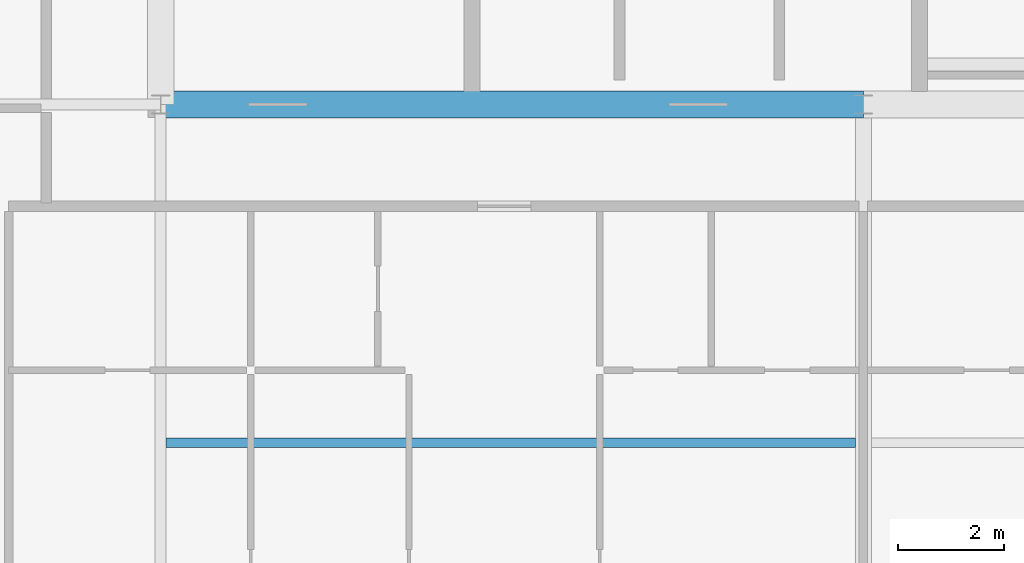
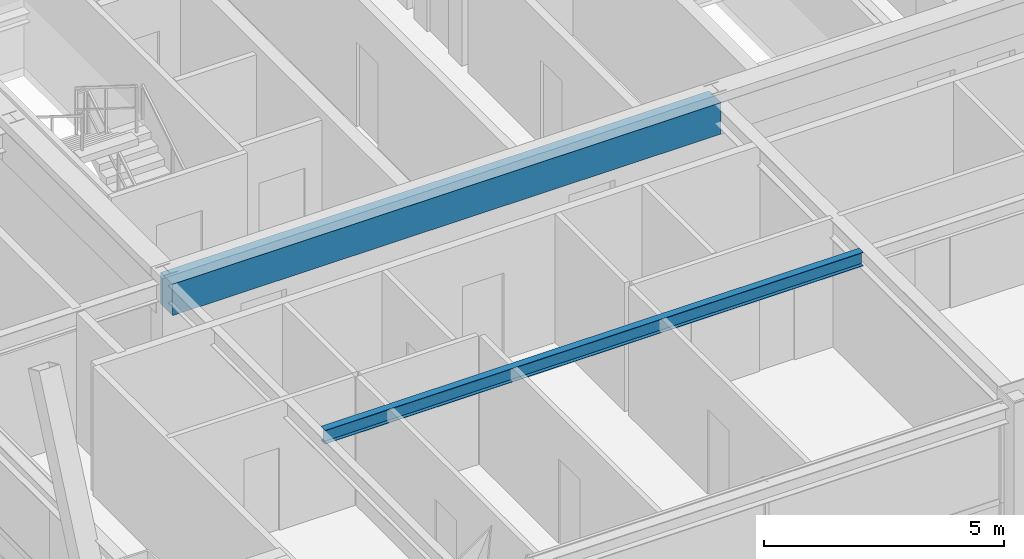
# One storey, part 8 of 34: 2 beams.
"""IFC4 building model written with IfcOpenShell, lengths in metres."""

import ifcopenshell
import ifcopenshell.guid

model = None  # the IFC model being written
_history = None  # IfcOwnerHistory: only IFC2X3 demands one
_inside = {}  # id of a spatial element -> (the spatial element, [elements in it])
_under = {}  # id of a project, library or spatial element -> (it, [spatial elements below it])
_declared = {}  # id of a project -> (the project, [libraries it declares])
_typed = {}  # id of a type object -> (the type object, [elements of that type])
_made_of = {}  # id of a material, layer set ... -> (it, [elements and type objects made of it])


def new_model(schema):
    """Start an empty IFC model of exactly this schema.

    Asked for "IFC4X3", IfcOpenShell would pick the latest addendum, in which some entities
    have other attributes; the version numbers below select the first issue.
    IFC2X3 requires an IfcOwnerHistory on every rooted entity: one is made here for all.
    """
    global model, _history
    if schema == "IFC4X3":
        model = ifcopenshell.file(schema_version=(4, 3, 0, 0))
    else:
        model = ifcopenshell.file(schema=schema)
    _inside.clear()
    _under.clear()
    _declared.clear()
    _typed.clear()
    _made_of.clear()
    _history = None
    if model.schema == "IFC2X3":
        org = make("IfcOrganization", Name="unknown")
        user = make(
            "IfcPersonAndOrganization",
            ThePerson=make("IfcPerson", FamilyName="unknown"),
            TheOrganization=org,
        )
        app = make(
            "IfcApplication",
            ApplicationDeveloper=org,
            Version="unknown",
            ApplicationFullName="unknown",
            ApplicationIdentifier="unknown",
        )
        _history = make(
            "IfcOwnerHistory",
            OwningUser=user,
            OwningApplication=app,
            ChangeAction="ADDED",
            CreationDate=0,
        )
    return model


def make(cls, **values):
    """One entity of the class cls with the attributes given. An attribute that is None is left unset."""
    return model.create_entity(
        cls, **{name: value for name, value in values.items() if value is not None}
    )


def rooted(cls, **values):
    """An entity with a GlobalId (a new one), such as an element, a storey or a relation."""
    return make(cls, GlobalId=ifcopenshell.guid.new(), OwnerHistory=_history, **values)


def si_unit(unit_type, name, prefix=None):
    """IfcSIUnit, for example si_unit("LENGTHUNIT", "METRE", prefix="MILLI")."""
    return make("IfcSIUnit", UnitType=unit_type, Prefix=prefix, Name=name)


def assignment(units):
    """IfcUnitAssignment: the units of a project."""
    return None if units is None else make("IfcUnitAssignment", Units=units)


def point(xyz):
    """IfcCartesianPoint."""
    return None if xyz is None else make("IfcCartesianPoint", Coordinates=xyz)


def direction(xyz):
    """IfcDirection."""
    return None if xyz is None else make("IfcDirection", DirectionRatios=xyz)


def frame(location, z_axis=None, x_axis=None):
    """IfcAxis2Placement3D, a coordinate frame: its origin and axes. An axis left out is left unset."""
    return make(
        "IfcAxis2Placement3D",
        Location=point(location),
        Axis=direction(z_axis),
        RefDirection=direction(x_axis),
    )


def frame_2d(location, x_axis=None):
    """IfcAxis2Placement2D, a coordinate frame in the plane: its origin and x axis."""
    return make(
        "IfcAxis2Placement2D", Location=point(location), RefDirection=direction(x_axis)
    )


def origin():
    """The frame at (0, 0, 0) with its axes left unset."""
    return frame((0.0, 0.0, 0.0))


def origin_2d():
    """The frame at (0, 0) in the plane with its x axis left unset."""
    return frame_2d((0.0, 0.0))


def place(relative_to, where):
    """IfcLocalPlacement: puts the frame where relative to a parent placement (None: the world)."""
    return make(
        "IfcLocalPlacement", PlacementRelTo=relative_to, RelativePlacement=where
    )


def context(
    kind, dimensions, precision=None, world=None, true_north=None, identifier=None
):
    """IfcGeometricRepresentationContext, for example the 3D "Model" context."""
    return make(
        "IfcGeometricRepresentationContext",
        ContextIdentifier=identifier,
        ContextType=kind,
        CoordinateSpaceDimension=dimensions,
        Precision=precision,
        WorldCoordinateSystem=world,
        TrueNorth=true_north,
    )


def subcontext(parent, identifier, kind, view, scale=None):
    """IfcGeometricRepresentationSubContext, for example "Body" below "Model"."""
    return make(
        "IfcGeometricRepresentationSubContext",
        ContextIdentifier=identifier,
        ContextType=kind,
        ParentContext=parent,
        TargetScale=scale,
        TargetView=view,
    )


def project(units=None, contexts=None):
    """IfcProject with its units and contexts."""
    return rooted(
        "IfcProject",
        Name="project",
        RepresentationContexts=contexts,
        UnitsInContext=assignment(units),
    )


def spatial(cls, under=None, at=None, **own):
    """A site, building, storey or space (cls), placed at a placement, below another one or the project."""
    s = rooted(cls, ObjectPlacement=at, **own)
    if under is not None:
        _under.setdefault(under.id(), (under, []))[1].append(s)
    return s


def profile(cls, at=None, kind="AREA", **sizes):
    """A parametric profile (cls). Its sizes go by their IFC names, for example OverallWidth=200.0."""
    return make(cls, ProfileType=kind, Position=at, **sizes)


def rectangle(**sizes):
    """IfcRectangleProfileDef."""
    return profile("IfcRectangleProfileDef", **sizes)


def i_section(**sizes):
    """IfcIShapeProfileDef."""
    return profile("IfcIShapeProfileDef", **sizes)


def extrude(swept, where, along, depth):
    """IfcExtrudedAreaSolid: the profile swept, set in the frame where, extruded along a direction by depth."""
    return make(
        "IfcExtrudedAreaSolid",
        SweptArea=swept,
        Position=where,
        ExtrudedDirection=direction(along),
        Depth=depth,
    )


def shape(context_of_items, identifier, shape_type, items):
    """IfcShapeRepresentation: the items that make up one representation, for example the "Body"."""
    return make(
        "IfcShapeRepresentation",
        ContextOfItems=context_of_items,
        RepresentationIdentifier=identifier,
        RepresentationType=shape_type,
        Items=items,
    )


def source(mapping_origin, context_of_items, identifier, shape_type, items):
    """IfcRepresentationMap: a shape defined once, which mapped items show again and again."""
    return make(
        "IfcRepresentationMap",
        MappingOrigin=mapping_origin,
        MappedRepresentation=shape(context_of_items, identifier, shape_type, items),
    )


def transform(
    local_origin,
    x_axis=None,
    y_axis=None,
    z_axis=None,
    scale=None,
    scale2=None,
    scale3=None,
    uniform=True,
):
    """IfcCartesianTransformationOperator3D, or its non-uniform kind. x_axis, y_axis, z_axis: its Axis1, 2, 3."""
    if uniform:
        return make(
            "IfcCartesianTransformationOperator3D",
            Axis1=direction(x_axis),
            Axis2=direction(y_axis),
            LocalOrigin=point(local_origin),
            Scale=scale,
            Axis3=direction(z_axis),
        )
    return make(
        "IfcCartesianTransformationOperator3DnonUniform",
        Axis1=direction(x_axis),
        Axis2=direction(y_axis),
        LocalOrigin=point(local_origin),
        Scale=scale,
        Axis3=direction(z_axis),
        Scale2=scale2,
        Scale3=scale3,
    )


def mapped(mapping_source, mapping_target):
    """IfcMappedItem: shows the shape of a source again, moved by a transform."""
    return make(
        "IfcMappedItem", MappingSource=mapping_source, MappingTarget=mapping_target
    )


def material(Name=None, Category=None):
    """IfcMaterial."""
    return make("IfcMaterial", Name=Name, Category=Category)


def material_profile(
    of_material, cross_section, Name=None, Category=None, Priority=None
):
    """IfcMaterialProfile: a cross section and its material."""
    return make(
        "IfcMaterialProfile",
        Name=Name,
        Material=of_material,
        Profile=cross_section,
        Priority=Priority,
        Category=Category,
    )


def profile_set(profiles, Name=None, composite=None):
    """IfcMaterialProfileSet."""
    return make(
        "IfcMaterialProfileSet",
        Name=Name,
        MaterialProfiles=profiles,
        CompositeProfile=composite,
    )


def made_of(thing, what):
    """Note that an element or type object is made of a material, layer set ...; save() writes the relation."""
    if what is not None:
        _made_of.setdefault(what.id(), (what, []))[1].append(thing)
    return thing


def type_object(cls, material=None, **own):
    """A type object (cls), such as IfcWallType, which elements share."""
    return made_of(rooted(cls, **own), material)


def element(
    cls,
    number,
    at=None,
    inside=None,
    cuts=None,
    type_object=None,
    material=None,
    context=None,
    identifier="Body",
    shape_type=None,
    held_by="IfcProductDefinitionShape",
    body=None,
    shapes=None,
    **own,
):
    """One element of the class cls, such as IfcWall. Its Tag is "e" and its number.

    at: its placement. inside: the storey or other place that contains it. cuts: it is an
    opening in that element (IfcRelVoidsElement). A single representation is given by context,
    identifier, shape_type and body (its items); several are given by shapes. held_by: the class
    of the entity that holds the representations. save() writes the other relations.
    """
    e = rooted(cls, Tag="e%d" % number, ObjectPlacement=at, **own)
    if body is not None:
        shapes = [shape(context, identifier, shape_type, body)]
    if shapes is not None:
        e.Representation = make(held_by, Representations=shapes)
    if inside is not None:
        _inside.setdefault(inside.id(), (inside, []))[1].append(e)
    if cuts is not None:
        rooted(
            "IfcRelVoidsElement", RelatingBuildingElement=cuts, RelatedOpeningElement=e
        )
    if type_object is not None:
        _typed.setdefault(type_object.id(), (type_object, []))[1].append(e)
    return made_of(e, material)


def aggregate(whole, parts):
    """IfcRelAggregates: a whole, such as a stair, and the parts it consists of."""
    return rooted("IfcRelAggregates", RelatingObject=whole, RelatedObjects=parts)


def save(model, path):
    """Write the relations noted so far, then the file.

    IfcRelAggregates (storeys below a building ...), IfcRelContainedInSpatialStructure (elements
    in a storey), IfcRelDefinesByType, IfcRelAssociatesMaterial and IfcRelDeclares: one each for
    every whole, place, type object, material and project.
    """
    for whole, parts in _under.values():
        aggregate(whole, parts)
    for where, things in _inside.values():
        rooted(
            "IfcRelContainedInSpatialStructure",
            RelatedElements=things,
            RelatingStructure=where,
        )
    for kind, things in _typed.values():
        rooted("IfcRelDefinesByType", RelatedObjects=things, RelatingType=kind)
    for what, things in _made_of.values():
        rooted("IfcRelAssociatesMaterial", RelatedObjects=things, RelatingMaterial=what)
    for by, libraries in _declared.values():
        rooted("IfcRelDeclares", RelatingContext=by, RelatedDefinitions=libraries)
    model.write(path)


model = new_model("IFC4")

# Units and contexts
model_context = context("Model", 3, precision=1e-05, world=origin(), true_north=direction((0.0, 1.0)))
body_context = subcontext(model_context, "Body", "Model", "MODEL_VIEW")
ifc_project = project(units=[si_unit("LENGTHUNIT", "METRE"), si_unit("AREAUNIT", "SQUARE_METRE"), si_unit("VOLUMEUNIT", "CUBIC_METRE"), si_unit("PLANEANGLEUNIT", "RADIAN"), si_unit("MASSUNIT", "GRAM", prefix="KILO"), si_unit("THERMODYNAMICTEMPERATUREUNIT", "KELVIN"), si_unit("POWERUNIT", "WATT")], contexts=[model_context])

# Site, building, storey
site_placement = place(None, origin())
site = spatial("IfcSite", under=ifc_project, at=site_placement, CompositionType="ELEMENT")
building_placement = place(site_placement, origin())
building = spatial("IfcBuilding", under=site, at=building_placement, Name="Yuzanri Waterfront Tower", CompositionType="ELEMENT")
storey_placement = place(building_placement, frame((0.0, 0.0, 328.699951171875)))
storey = spatial("IfcBuildingStorey", under=building, at=storey_placement, Name="L88", CompositionType="ELEMENT", Elevation=328.699951171875)

# Beams
ifc_material_1 = material(Name="Concrete C50", Category="concrete")
ifc_material_profile_1 = material_profile(ifc_material_1, rectangle(XDim=0.5, YDim=0.800048828125, at=origin_2d()), Name="RC 500x800")
ifc_profile_set_1 = profile_set([ifc_material_profile_1], Name="Concrete C50")
beam_type_1 = type_object("IfcBeamType", Name="Core Coupling Lintel Concrete C50 500x800", PredefinedType="LINTEL", material=ifc_profile_set_1)
shared_shape_1 = source(origin(), body_context, "Body", "SweptSolid", [
    extrude(rectangle(XDim=0.5, YDim=0.800048828125, at=origin_2d()), origin(), (0.0, 0.0, 1.0), 13.199951171875),
])
beam_1_placement = place(storey_placement, frame((23.800048828125, 19.39990234375, 2.880126953125), z_axis=(1.0, 0.0, 0.0), x_axis=(0.0, 1.0, 0.0)))
element("IfcBeam", 1, at=beam_1_placement, inside=storey, type_object=beam_type_1, Name="L88 Core Tie Beam CS1", PredefinedType="LINTEL", context=body_context, shape_type="MappedRepresentation", body=[
    mapped(shared_shape_1, transform((0.0, 0.0, 0.0), scale=1.0)),
])
ifc_material_2 = material(Name="Steel Q355B", Category="steel")
ifc_material_profile_2 = material_profile(ifc_material_2, i_section(OverallWidth=0.175048828125, OverallDepth=0.35009765625, WebThickness=0.007080078125, FlangeThickness=0.010986328125, at=origin_2d()), Name="HN 350x175x7x11")
ifc_profile_set_2 = profile_set([ifc_material_profile_2], Name="Steel Q355B")
beam_type_2 = type_object("IfcBeamType", Name="Floor Joist Q355B HN 350x175", PredefinedType="JOIST", material=ifc_profile_set_2)
shared_shape_2 = source(origin(), body_context, "Body", "SweptSolid", [
    extrude(i_section(OverallWidth=0.175048828125, OverallDepth=0.35009765625, WebThickness=0.007080078125, FlangeThickness=0.010986328125, at=origin_2d()), origin(), (0.0, 0.0, 1.0), 12.9501953125),
])
beam_2_placement = place(storey_placement, frame((23.89990234375, 13.050048828125, 3.10498046875), z_axis=(1.0, 0.0, 0.0), x_axis=(0.0, 1.0, 0.0)))
element("IfcBeam", 2, at=beam_2_placement, inside=storey, type_object=beam_type_2, Name="L88 South Bay Joist W", PredefinedType="JOIST", context=body_context, shape_type="MappedRepresentation", body=[
    mapped(shared_shape_2, transform((0.0, 0.0, 0.0), scale=1.0)),
])

save(model, "model.ifc")
